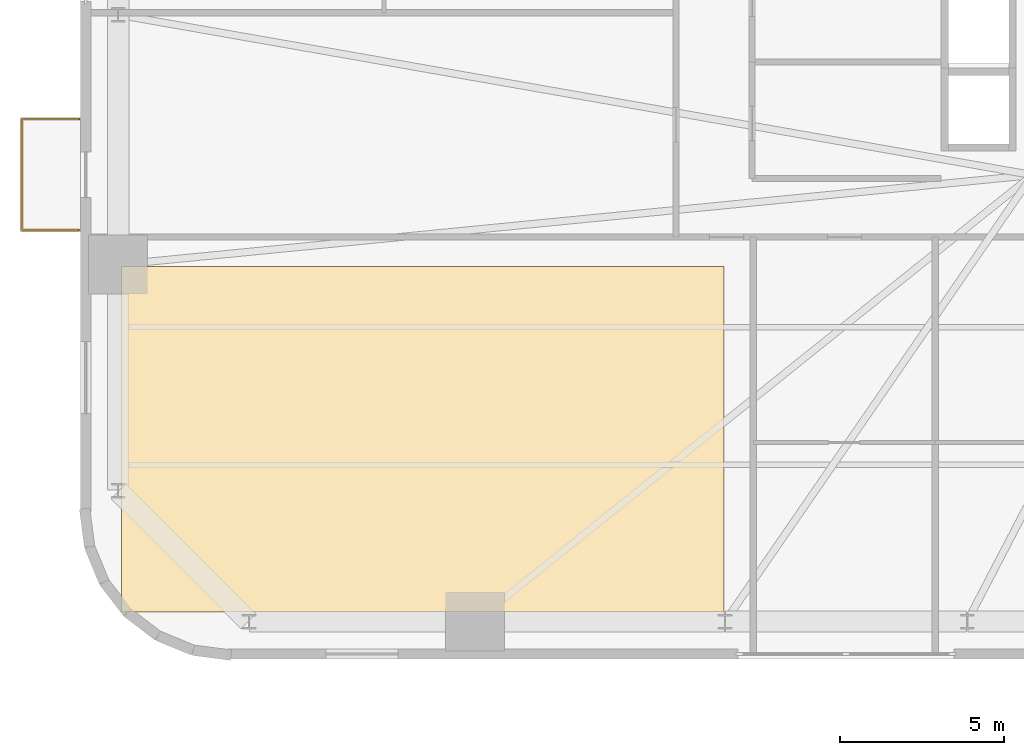
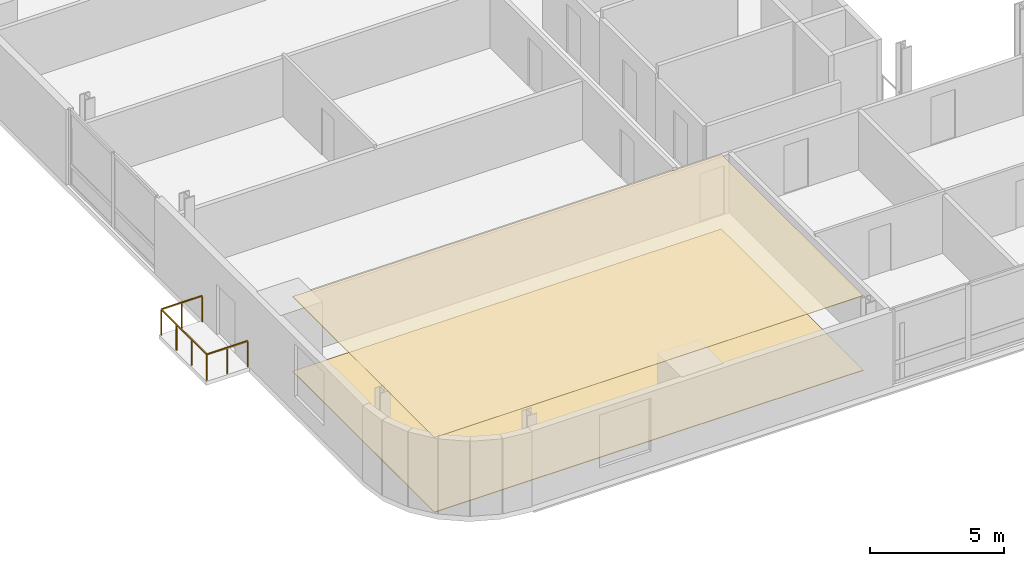
# One storey, part 10 of 13: 2 coverings, 1 railing.
"""IFC4 building model written with IfcOpenShell, lengths in metres."""

from ifc_helpers import new_model, si_unit, direction, frame, origin, origin_2d, place, context, subcontext, project, spatial, polyline, rectangle, outline, extrude, source, transform, mapped, material, layer, layer_set, type_object, element, save


model = new_model("IFC4")

# Units and contexts
model_context = context("Model", 3, precision=1e-05, world=origin(), true_north=direction((0.0, 1.0)))
body_context = subcontext(model_context, "Body", "Model", "MODEL_VIEW")
ifc_project = project(units=[si_unit("LENGTHUNIT", "METRE"), si_unit("AREAUNIT", "SQUARE_METRE"), si_unit("VOLUMEUNIT", "CUBIC_METRE"), si_unit("PLANEANGLEUNIT", "RADIAN"), si_unit("MASSUNIT", "GRAM", prefix="KILO")], contexts=[model_context])

# Site, building, storey
site_placement = place(None, origin())
site = spatial("IfcSite", under=ifc_project, at=site_placement, CompositionType="ELEMENT")
building_placement = place(site_placement, origin())
building = spatial("IfcBuilding", under=site, at=building_placement, Name="Vardaveli Station Tower", CompositionType="ELEMENT")
storey_placement = place(building_placement, frame((0.0, 0.0, 67.75)))
storey = spatial("IfcBuildingStorey", under=building, at=storey_placement, Name="L17", CompositionType="ELEMENT", Elevation=67.75)

# Coverings
ifc_material_1 = material(Name="Perforated acoustic mineral ceiling")
ifc_layer_1 = layer(ifc_material_1, 0.02001953125, Name="Perforated acoustic mineral ceiling")
ifc_layer_set_1 = layer_set([ifc_layer_1], Name="Perforated acoustic mineral ceiling")
covering_type_1 = type_object("IfcCoveringType", Name="COV-CEIL-AC20", PredefinedType="CEILING", material=ifc_layer_set_1)
covering_1_placement = place(storey_placement, frame((0.0, 0.0, 3.39501953125)))
element("IfcCovering", 1, at=covering_1_placement, inside=storey, type_object=covering_type_1, Name="CEIL-L17-1", PredefinedType="CEILING", context=body_context, shape_type="SweptSolid", body=[
    extrude(outline(polyline([(3.35009765625, 3.25), (21.77001953125, 3.25), (21.77001953125, 13.81005859375), (3.35009765625, 13.81005859375), (3.35009765625, 3.25)])), origin(), (0.0, 0.0, 1.0), 0.02001953125),
])
ifc_material_2 = material(Name="Honed Caucasian basalt and travertine flooring", Category="masonry")
ifc_layer_2 = layer(ifc_material_2, 0.030029296875, Name="Honed Caucasian basalt and travertine flooring")
ifc_layer_set_2 = layer_set([ifc_layer_2], Name="Honed Caucasian basalt and travertine flooring")
covering_type_2 = type_object("IfcCoveringType", Name="COV-FLOOR-ST30", PredefinedType="FLOORING", material=ifc_layer_set_2)
covering_2_placement = place(storey_placement, origin())
element("IfcCovering", 2, at=covering_2_placement, inside=storey, type_object=covering_type_2, Name="FLR-L17-1", PredefinedType="FLOORING", context=body_context, shape_type="SweptSolid", body=[
    extrude(outline(polyline([(3.35009765625, 3.25), (21.77001953125, 3.25), (21.77001953125, 13.81005859375), (3.35009765625, 13.81005859375), (3.35009765625, 3.25)])), origin(), (0.0, 0.0, 1.0), 0.030029296875),
])

# Railing
ifc_material_3 = material(Name="Laminated glass and stainless steel balustrade", Category="steel")
railing_type = type_object("IfcRailingType", Name="RL-BAL-1200", PredefinedType="BALUSTRADE", material=ifc_material_3)
shared_shape = source(origin(), body_context, "Body", "SweptSolid", [
    extrude(rectangle(XDim=0.048095703125, YDim=0.048095703125, at=origin_2d()), frame((0.0, 0.0, 1.17578125), z_axis=(-1.0, 0.0, 0.0), x_axis=(0.0, -1.0, 0.0)), (0.0, 0.0, 1.0), 1.75),
    extrude(rectangle(XDim=0.048095703125, YDim=0.048095703125, at=origin_2d()), frame((-1.75, 0.0, 1.17578125), z_axis=(0.0, 1.0, 0.0), x_axis=(-1.0, 0.0, 0.0)), (0.0, 0.0, 1.0), 3.3798828125),
    extrude(rectangle(XDim=0.048095703125, YDim=0.048095703125, at=origin_2d()), frame((-1.75, 3.3798828125, 1.17578125), z_axis=(1.0, 0.0, 0.0), x_axis=(0.0, 1.0, 0.0)), (0.0, 0.0, 1.0), 1.75),
    extrude(rectangle(XDim=0.0419921875, YDim=0.0419921875, at=origin_2d()), origin(), (0.0, 0.0, 1.0), 1.15185546875),
    extrude(rectangle(XDim=0.0419921875, YDim=0.0419921875, at=origin_2d()), frame((-0.875, 0.0, 0.0)), (0.0, 0.0, 1.0), 1.15185546875),
    extrude(rectangle(XDim=0.0419921875, YDim=0.0419921875, at=origin_2d()), frame((-1.75, 0.0, 0.0)), (0.0, 0.0, 1.0), 1.15185546875),
    extrude(rectangle(XDim=0.0419921875, YDim=0.0419921875, at=origin_2d()), frame((-1.75, 1.126708984375, 0.0)), (0.0, 0.0, 1.0), 1.15185546875),
    extrude(rectangle(XDim=0.0419921875, YDim=0.0419921875, at=origin_2d()), frame((-1.75, 2.253173828125, 0.0)), (0.0, 0.0, 1.0), 1.15185546875),
    extrude(rectangle(XDim=0.0419921875, YDim=0.0419921875, at=origin_2d()), frame((-1.75, 3.3798828125, 0.0)), (0.0, 0.0, 1.0), 1.15185546875),
    extrude(rectangle(XDim=0.0419921875, YDim=0.0419921875, at=origin_2d()), frame((-0.875, 3.3798828125, 0.0)), (0.0, 0.0, 1.0), 1.15185546875),
    extrude(rectangle(XDim=0.0419921875, YDim=0.0419921875, at=origin_2d()), frame((0.0, 3.3798828125, 0.0)), (0.0, 0.0, 1.0), 1.15185546875),
])
railing_placement = place(storey_placement, frame((2.06005859375, 14.92041015625, 0.0)))
element("IfcRailing", 3, at=railing_placement, inside=storey, type_object=railing_type, Name="RL-LOG-L17-03", PredefinedType="BALUSTRADE", context=body_context, shape_type="MappedRepresentation", body=[
    mapped(shared_shape, transform((0.0, 0.0, 0.0), scale=1.0)),
])

save(model, "model.ifc")
